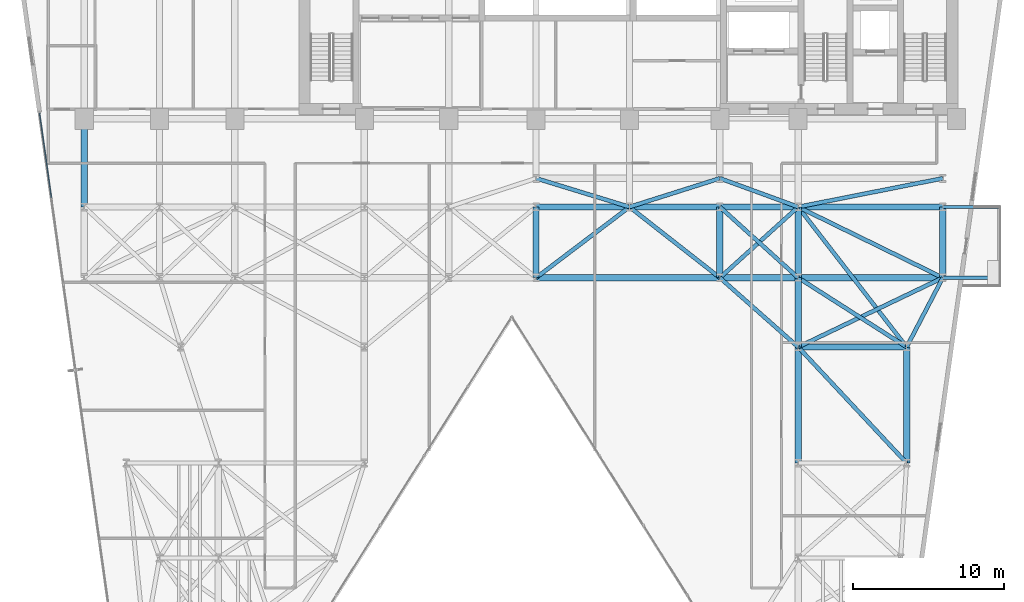
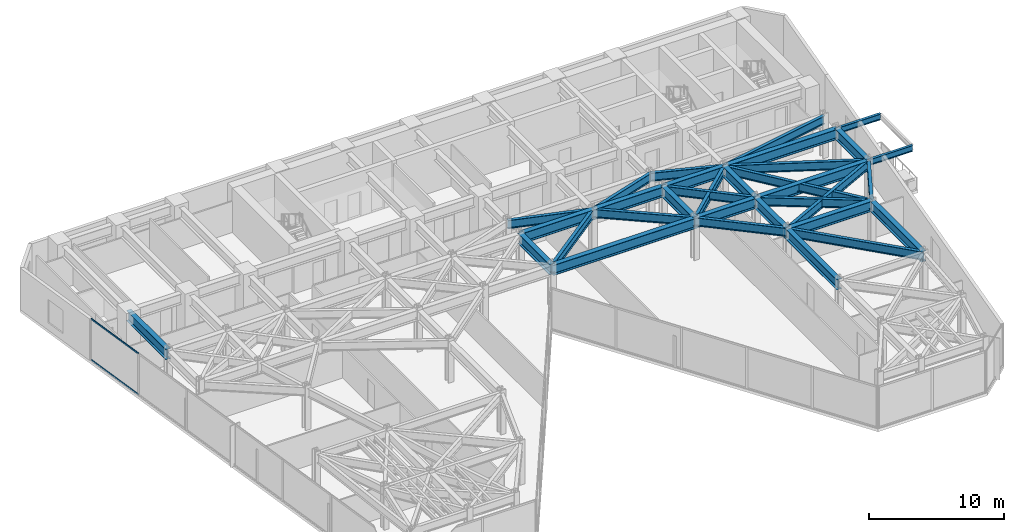
# One storey, part 16 of 25: 33 beams, 2 members, 1 element without a shape of its own.
"""IFC4 building model written with IfcOpenShell, lengths in metres."""

import ifcopenshell
import ifcopenshell.guid

model = None  # the IFC model being written
_history = None  # IfcOwnerHistory: only IFC2X3 demands one
_inside = {}  # id of a spatial element -> (the spatial element, [elements in it])
_under = {}  # id of a project, library or spatial element -> (it, [spatial elements below it])
_declared = {}  # id of a project -> (the project, [libraries it declares])
_typed = {}  # id of a type object -> (the type object, [elements of that type])
_made_of = {}  # id of a material, layer set ... -> (it, [elements and type objects made of it])


def new_model(schema):
    """Start an empty IFC model of exactly this schema.

    Asked for "IFC4X3", IfcOpenShell would pick the latest addendum, in which some entities
    have other attributes; the version numbers below select the first issue.
    IFC2X3 requires an IfcOwnerHistory on every rooted entity: one is made here for all.
    """
    global model, _history
    if schema == "IFC4X3":
        model = ifcopenshell.file(schema_version=(4, 3, 0, 0))
    else:
        model = ifcopenshell.file(schema=schema)
    _inside.clear()
    _under.clear()
    _declared.clear()
    _typed.clear()
    _made_of.clear()
    _history = None
    if model.schema == "IFC2X3":
        org = make("IfcOrganization", Name="unknown")
        user = make(
            "IfcPersonAndOrganization",
            ThePerson=make("IfcPerson", FamilyName="unknown"),
            TheOrganization=org,
        )
        app = make(
            "IfcApplication",
            ApplicationDeveloper=org,
            Version="unknown",
            ApplicationFullName="unknown",
            ApplicationIdentifier="unknown",
        )
        _history = make(
            "IfcOwnerHistory",
            OwningUser=user,
            OwningApplication=app,
            ChangeAction="ADDED",
            CreationDate=0,
        )
    return model


def make(cls, **values):
    """One entity of the class cls with the attributes given. An attribute that is None is left unset."""
    return model.create_entity(
        cls, **{name: value for name, value in values.items() if value is not None}
    )


def rooted(cls, **values):
    """An entity with a GlobalId (a new one), such as an element, a storey or a relation."""
    return make(cls, GlobalId=ifcopenshell.guid.new(), OwnerHistory=_history, **values)


def si_unit(unit_type, name, prefix=None):
    """IfcSIUnit, for example si_unit("LENGTHUNIT", "METRE", prefix="MILLI")."""
    return make("IfcSIUnit", UnitType=unit_type, Prefix=prefix, Name=name)


def assignment(units):
    """IfcUnitAssignment: the units of a project."""
    return None if units is None else make("IfcUnitAssignment", Units=units)


def point(xyz):
    """IfcCartesianPoint."""
    return None if xyz is None else make("IfcCartesianPoint", Coordinates=xyz)


def direction(xyz):
    """IfcDirection."""
    return None if xyz is None else make("IfcDirection", DirectionRatios=xyz)


def frame(location, z_axis=None, x_axis=None):
    """IfcAxis2Placement3D, a coordinate frame: its origin and axes. An axis left out is left unset."""
    return make(
        "IfcAxis2Placement3D",
        Location=point(location),
        Axis=direction(z_axis),
        RefDirection=direction(x_axis),
    )


def frame_2d(location, x_axis=None):
    """IfcAxis2Placement2D, a coordinate frame in the plane: its origin and x axis."""
    return make(
        "IfcAxis2Placement2D", Location=point(location), RefDirection=direction(x_axis)
    )


def origin():
    """The frame at (0, 0, 0) with its axes left unset."""
    return frame((0.0, 0.0, 0.0))


def origin_2d():
    """The frame at (0, 0) in the plane with its x axis left unset."""
    return frame_2d((0.0, 0.0))


def place(relative_to, where):
    """IfcLocalPlacement: puts the frame where relative to a parent placement (None: the world)."""
    return make(
        "IfcLocalPlacement", PlacementRelTo=relative_to, RelativePlacement=where
    )


def context(
    kind, dimensions, precision=None, world=None, true_north=None, identifier=None
):
    """IfcGeometricRepresentationContext, for example the 3D "Model" context."""
    return make(
        "IfcGeometricRepresentationContext",
        ContextIdentifier=identifier,
        ContextType=kind,
        CoordinateSpaceDimension=dimensions,
        Precision=precision,
        WorldCoordinateSystem=world,
        TrueNorth=true_north,
    )


def subcontext(parent, identifier, kind, view, scale=None):
    """IfcGeometricRepresentationSubContext, for example "Body" below "Model"."""
    return make(
        "IfcGeometricRepresentationSubContext",
        ContextIdentifier=identifier,
        ContextType=kind,
        ParentContext=parent,
        TargetScale=scale,
        TargetView=view,
    )


def project(units=None, contexts=None):
    """IfcProject with its units and contexts."""
    return rooted(
        "IfcProject",
        Name="project",
        RepresentationContexts=contexts,
        UnitsInContext=assignment(units),
    )


def spatial(cls, under=None, at=None, **own):
    """A site, building, storey or space (cls), placed at a placement, below another one or the project."""
    s = rooted(cls, ObjectPlacement=at, **own)
    if under is not None:
        _under.setdefault(under.id(), (under, []))[1].append(s)
    return s


def profile(cls, at=None, kind="AREA", **sizes):
    """A parametric profile (cls). Its sizes go by their IFC names, for example OverallWidth=200.0."""
    return make(cls, ProfileType=kind, Position=at, **sizes)


def hollow_rectangle(**sizes):
    """IfcRectangleHollowProfileDef."""
    return profile("IfcRectangleHollowProfileDef", **sizes)


def i_section(**sizes):
    """IfcIShapeProfileDef."""
    return profile("IfcIShapeProfileDef", **sizes)


def extrude(swept, where, along, depth):
    """IfcExtrudedAreaSolid: the profile swept, set in the frame where, extruded along a direction by depth."""
    return make(
        "IfcExtrudedAreaSolid",
        SweptArea=swept,
        Position=where,
        ExtrudedDirection=direction(along),
        Depth=depth,
    )


def shape(context_of_items, identifier, shape_type, items):
    """IfcShapeRepresentation: the items that make up one representation, for example the "Body"."""
    return make(
        "IfcShapeRepresentation",
        ContextOfItems=context_of_items,
        RepresentationIdentifier=identifier,
        RepresentationType=shape_type,
        Items=items,
    )


def material(Name=None, Category=None):
    """IfcMaterial."""
    return make("IfcMaterial", Name=Name, Category=Category)


def layer(
    of_material, thickness, ventilated=None, Name=None, Category=None, Priority=None
):
    """IfcMaterialLayer: one layer of a wall or slab, of a material (None: an air gap)."""
    return make(
        "IfcMaterialLayer",
        Material=of_material,
        LayerThickness=thickness,
        IsVentilated=ventilated,
        Name=Name,
        Category=Category,
        Priority=Priority,
    )


def layer_set(layers, Name=None):
    """IfcMaterialLayerSet."""
    return make("IfcMaterialLayerSet", MaterialLayers=layers, LayerSetName=Name)


def material_profile(
    of_material, cross_section, Name=None, Category=None, Priority=None
):
    """IfcMaterialProfile: a cross section and its material."""
    return make(
        "IfcMaterialProfile",
        Name=Name,
        Material=of_material,
        Profile=cross_section,
        Priority=Priority,
        Category=Category,
    )


def profile_set(profiles, Name=None, composite=None):
    """IfcMaterialProfileSet."""
    return make(
        "IfcMaterialProfileSet",
        Name=Name,
        MaterialProfiles=profiles,
        CompositeProfile=composite,
    )


def made_of(thing, what):
    """Note that an element or type object is made of a material, layer set ...; save() writes the relation."""
    if what is not None:
        _made_of.setdefault(what.id(), (what, []))[1].append(thing)
    return thing


def type_object(cls, material=None, **own):
    """A type object (cls), such as IfcWallType, which elements share."""
    return made_of(rooted(cls, **own), material)


def element(
    cls,
    number,
    at=None,
    inside=None,
    cuts=None,
    type_object=None,
    material=None,
    context=None,
    identifier="Body",
    shape_type=None,
    held_by="IfcProductDefinitionShape",
    body=None,
    shapes=None,
    **own,
):
    """One element of the class cls, such as IfcWall. Its Tag is "e" and its number.

    at: its placement. inside: the storey or other place that contains it. cuts: it is an
    opening in that element (IfcRelVoidsElement). A single representation is given by context,
    identifier, shape_type and body (its items); several are given by shapes. held_by: the class
    of the entity that holds the representations. save() writes the other relations.
    """
    e = rooted(cls, Tag="e%d" % number, ObjectPlacement=at, **own)
    if body is not None:
        shapes = [shape(context, identifier, shape_type, body)]
    if shapes is not None:
        e.Representation = make(held_by, Representations=shapes)
    if inside is not None:
        _inside.setdefault(inside.id(), (inside, []))[1].append(e)
    if cuts is not None:
        rooted(
            "IfcRelVoidsElement", RelatingBuildingElement=cuts, RelatedOpeningElement=e
        )
    if type_object is not None:
        _typed.setdefault(type_object.id(), (type_object, []))[1].append(e)
    return made_of(e, material)


def aggregate(whole, parts):
    """IfcRelAggregates: a whole, such as a stair, and the parts it consists of."""
    return rooted("IfcRelAggregates", RelatingObject=whole, RelatedObjects=parts)


def save(model, path):
    """Write the relations noted so far, then the file.

    IfcRelAggregates (storeys below a building ...), IfcRelContainedInSpatialStructure (elements
    in a storey), IfcRelDefinesByType, IfcRelAssociatesMaterial and IfcRelDeclares: one each for
    every whole, place, type object, material and project.
    """
    for whole, parts in _under.values():
        aggregate(whole, parts)
    for where, things in _inside.values():
        rooted(
            "IfcRelContainedInSpatialStructure",
            RelatedElements=things,
            RelatingStructure=where,
        )
    for kind, things in _typed.values():
        rooted("IfcRelDefinesByType", RelatedObjects=things, RelatingType=kind)
    for what, things in _made_of.values():
        rooted("IfcRelAssociatesMaterial", RelatedObjects=things, RelatingMaterial=what)
    for by, libraries in _declared.values():
        rooted("IfcRelDeclares", RelatingContext=by, RelatedDefinitions=libraries)
    model.write(path)


model = new_model("IFC4")

# Units and contexts
model_context = context("Model", 3, precision=1e-05, world=origin(), true_north=direction((0.0, 1.0)))
body_context = subcontext(model_context, "Body", "Model", "MODEL_VIEW")
ifc_project = project(units=[si_unit("LENGTHUNIT", "METRE"), si_unit("AREAUNIT", "SQUARE_METRE"), si_unit("VOLUMEUNIT", "CUBIC_METRE"), si_unit("PLANEANGLEUNIT", "RADIAN"), si_unit("MASSUNIT", "GRAM", prefix="KILO")], contexts=[model_context])

# Site, building, storey
site_placement = place(None, origin())
site = spatial("IfcSite", under=ifc_project, at=site_placement, CompositionType="ELEMENT")
building_placement = place(site_placement, origin())
building = spatial("IfcBuilding", under=site, at=building_placement, Name="Kravanh Interchange Tower", CompositionType="ELEMENT")
storey_placement = place(building_placement, frame((0.0, 0.0, 33.5)))
storey = spatial("IfcBuildingStorey", under=building, at=storey_placement, Name="L07", CompositionType="ELEMENT", Elevation=33.5)

# Curtain wall, members
ifc_material_1 = material(Name="Anodised Bronze Aluminium", Category="aluminium")
ifc_layer = layer(ifc_material_1, 0.179931640625)
ifc_layer_set = layer_set([ifc_layer], Name="Unitised Curtain Wall System CW-Z1 Lower Office")
curtain_wall_type = type_object("IfcCurtainWallType", Name="Unitised Curtain Wall System CW-Z1 Lower Office", PredefinedType="NOTDEFINED", material=ifc_layer_set)
curtain_wall_placement = place(storey_placement, origin())
curtain_wall = element("IfcCurtainWall", 1, at=curtain_wall_placement, inside=storey, type_object=curtain_wall_type, Name="L07 Unitised Curtain Wall CW-L07-01", PredefinedType="NOTDEFINED")
ifc_material_2 = material(Name="Anodised Bronze Aluminium", Category="aluminium")
ifc_material_profile_1 = material_profile(ifc_material_2, hollow_rectangle(XDim=0.06005859375, YDim=0.139892578125, WallThickness=0.00390625, at=origin_2d()), Name="ALU60X140X4")
ifc_profile_set_1 = profile_set([ifc_material_profile_1], Name="Anodised Bronze Aluminium")
member_type = type_object("IfcMemberType", Name="Curtain Wall Transom ALU60X140X4 Bronze", PredefinedType="USERDEFINED", material=ifc_profile_set_1)
member_1_placement = place(storey_placement, frame((6.422607421875, 32.1240234375, 0.030029296875), z_axis=(-0.139193386559, 0.990265217575, 0.0), x_axis=(-0.990265217575, -0.139193386559, 0.0)))
member_1 = element("IfcMember", 2, at=member_1_placement, type_object=member_type, Name="CW-Z1 transom 6.1", ObjectType="TRANSOM", PredefinedType="USERDEFINED", context=body_context, shape_type="SweptSolid", body=[
    extrude(hollow_rectangle(XDim=0.06005859375, YDim=0.139892578125, WallThickness=0.00390625, at=origin_2d()), origin(), (0.0, 0.0, 1.0), 5.661865234375),
])
member_2_placement = place(storey_placement, frame((6.422607421875, 32.1240234375, 3.7099609375), z_axis=(-0.139193386559, 0.990265217575, 0.0), x_axis=(-0.990265217575, -0.139193386559, 0.0)))
member_2 = element("IfcMember", 3, at=member_2_placement, type_object=member_type, Name="CW-Z1 transom 6.2", ObjectType="TRANSOM", PredefinedType="USERDEFINED", context=body_context, shape_type="SweptSolid", body=[
    extrude(hollow_rectangle(XDim=0.06005859375, YDim=0.139892578125, WallThickness=0.00390625, at=origin_2d()), origin(), (0.0, 0.0, 1.0), 5.661865234375),
])
aggregate(curtain_wall, [member_1, member_2])

# Beams
ifc_material_3 = material(Name="Structural Steel S355", Category="steel")
ifc_material_profile_2 = material_profile(ifc_material_3, i_section(OverallWidth=0.41796875, OverallDepth=0.927001953125, WebThickness=0.019287109375, FlangeThickness=0.031982421875, FilletRadius=0.028076171875, at=origin_2d()), Name="W36X231")
ifc_profile_set_2 = profile_set([ifc_material_profile_2], Name="Structural Steel S355")
beam_type_1 = type_object("IfcBeamType", Name="Floor Beam W36X231 Structural Steel S355", PredefinedType="BEAM", material=ifc_profile_set_2)
beam_1_placement = place(storey_placement, frame((8.60009765625, 37.35009765625, 3.276611328125), z_axis=(0.0, -1.0, 0.0), x_axis=(1.0, 0.0, 0.0)))
element("IfcBeam", 4, at=beam_1_placement, inside=storey, type_object=beam_type_1, Name="L07 Primary Floor Girder 36", PredefinedType="BEAM", context=body_context, shape_type="SweptSolid", body=[
    extrude(i_section(OverallWidth=0.41796875, OverallDepth=0.927001953125, WebThickness=0.019287109375, FlangeThickness=0.031982421875, FilletRadius=0.028076171875, at=origin_2d()), origin(), (0.0, 0.0, 1.0), 5.85009765625),
])
for number, where, z_axis, x_axis, name in (
    (5, (56.0, 14.5, 3.276611328125), (0.0, 1.0, 0.0), (-1.0, 0.0, 0.0), "L07 Primary Floor Girder 44"),
    (6, (63.199951171875, 14.5, 3.276611328125), (0.0, 1.0, 0.0), (-1.0, 0.0, 0.0), "L07 Primary Floor Girder 47"),
):
    element("IfcBeam", number, at=place(storey_placement, frame(where, z_axis=z_axis, x_axis=x_axis)), inside=storey, type_object=beam_type_1, Name=name, PredefinedType="BEAM", context=body_context, shape_type="SweptSolid", body=[
        extrude(i_section(OverallWidth=0.41796875, OverallDepth=0.927001953125, WebThickness=0.019287109375, FlangeThickness=0.031982421875, FilletRadius=0.028076171875, at=origin_2d()), origin(), (0.0, 0.0, 1.0), 7.699951171875),
    ])
beam_2_placement = place(storey_placement, frame((56.0, 22.199951171875, 3.276611328125), z_axis=(0.0, 1.0, 0.0), x_axis=(-1.0, 0.0, 0.0)))
element("IfcBeam", 7, at=beam_2_placement, inside=storey, type_object=beam_type_1, Name="L07 Primary Floor Girder 58", PredefinedType="BEAM", context=body_context, shape_type="SweptSolid", body=[
    extrude(i_section(OverallWidth=0.41796875, OverallDepth=0.927001953125, WebThickness=0.019287109375, FlangeThickness=0.031982421875, FilletRadius=0.028076171875, at=origin_2d()), origin(), (0.0, 0.0, 1.0), 4.60009765625),
])
beam_3_placement = place(storey_placement, frame((56.0, 22.199951171875, 3.276611328125), z_axis=(1.0, 0.0, 0.0), x_axis=(0.0, 1.0, 0.0)))
element("IfcBeam", 8, at=beam_3_placement, inside=storey, type_object=beam_type_1, Name="L07 Primary Floor Girder 60", PredefinedType="BEAM", context=body_context, shape_type="SweptSolid", body=[
    extrude(i_section(OverallWidth=0.41796875, OverallDepth=0.927001953125, WebThickness=0.019287109375, FlangeThickness=0.031982421875, FilletRadius=0.028076171875, at=origin_2d()), origin(), (0.0, 0.0, 1.0), 7.199951171875),
])
beam_4_placement = place(storey_placement, frame((38.60009765625, 26.800048828125, 3.276611328125), z_axis=(0.0, 1.0, 0.0), x_axis=(-1.0, 0.0, 0.0)))
element("IfcBeam", 9, at=beam_4_placement, inside=storey, type_object=beam_type_1, Name="L07 Primary Floor Girder 86", PredefinedType="BEAM", context=body_context, shape_type="SweptSolid", body=[
    extrude(i_section(OverallWidth=0.41796875, OverallDepth=0.927001953125, WebThickness=0.019287109375, FlangeThickness=0.031982421875, FilletRadius=0.028076171875, at=origin_2d()), origin(), (0.0, 0.0, 1.0), 4.699951171875),
])
beam_5_placement = place(storey_placement, frame((38.60009765625, 26.800048828125, 3.276611328125), z_axis=(1.0, 0.0, 0.0), x_axis=(0.0, 1.0, 0.0)))
element("IfcBeam", 10, at=beam_5_placement, inside=storey, type_object=beam_type_1, Name="L07 Primary Floor Girder 89", PredefinedType="BEAM", context=body_context, shape_type="SweptSolid", body=[
    extrude(i_section(OverallWidth=0.41796875, OverallDepth=0.927001953125, WebThickness=0.019287109375, FlangeThickness=0.031982421875, FilletRadius=0.028076171875, at=origin_2d()), origin(), (0.0, 0.0, 1.0), 12.199951171875),
])
beam_6_placement = place(storey_placement, frame((50.800048828125, 26.800048828125, 3.276611328125), z_axis=(0.0, 1.0, 0.0), x_axis=(-1.0, 0.0, 0.0)))
element("IfcBeam", 11, at=beam_6_placement, inside=storey, type_object=beam_type_1, Name="L07 Primary Floor Girder 90", PredefinedType="BEAM", context=body_context, shape_type="SweptSolid", body=[
    extrude(i_section(OverallWidth=0.41796875, OverallDepth=0.927001953125, WebThickness=0.019287109375, FlangeThickness=0.031982421875, FilletRadius=0.028076171875, at=origin_2d()), origin(), (0.0, 0.0, 1.0), 4.699951171875),
])
beam_7_placement = place(storey_placement, frame((50.800048828125, 26.800048828125, 3.276611328125), z_axis=(1.0, 0.0, 0.0), x_axis=(0.0, 1.0, 0.0)))
element("IfcBeam", 12, at=beam_7_placement, inside=storey, type_object=beam_type_1, Name="L07 Primary Floor Girder 91", PredefinedType="BEAM", context=body_context, shape_type="SweptSolid", body=[
    extrude(i_section(OverallWidth=0.41796875, OverallDepth=0.927001953125, WebThickness=0.019287109375, FlangeThickness=0.031982421875, FilletRadius=0.028076171875, at=origin_2d()), origin(), (0.0, 0.0, 1.0), 5.199951171875),
])
beam_8_placement = place(storey_placement, frame((56.0, 26.800048828125, 3.276611328125), z_axis=(0.0, 1.0, 0.0), x_axis=(-1.0, 0.0, 0.0)))
element("IfcBeam", 13, at=beam_8_placement, inside=storey, type_object=beam_type_1, Name="L07 Primary Floor Girder 94", PredefinedType="BEAM", context=body_context, shape_type="SweptSolid", body=[
    extrude(i_section(OverallWidth=0.41796875, OverallDepth=0.927001953125, WebThickness=0.019287109375, FlangeThickness=0.031982421875, FilletRadius=0.028076171875, at=origin_2d()), origin(), (0.0, 0.0, 1.0), 4.699951171875),
])
beam_9_placement = place(storey_placement, frame((56.0, 26.800048828125, 3.276611328125), z_axis=(1.0, 0.0, 0.0), x_axis=(0.0, 1.0, 0.0)))
element("IfcBeam", 14, at=beam_9_placement, inside=storey, type_object=beam_type_1, Name="L07 Primary Floor Girder 97", PredefinedType="BEAM", context=body_context, shape_type="SweptSolid", body=[
    extrude(i_section(OverallWidth=0.41796875, OverallDepth=0.927001953125, WebThickness=0.019287109375, FlangeThickness=0.031982421875, FilletRadius=0.028076171875, at=origin_2d()), origin(), (0.0, 0.0, 1.0), 9.60009765625),
])
beam_10_placement = place(storey_placement, frame((65.60009765625, 26.800048828125, 3.276611328125), z_axis=(0.0, 1.0, 0.0), x_axis=(-1.0, 0.0, 0.0)))
element("IfcBeam", 15, at=beam_10_placement, inside=storey, type_object=beam_type_1, Name="L07 Primary Floor Girder 98", PredefinedType="BEAM", context=body_context, shape_type="SweptSolid", body=[
    extrude(i_section(OverallWidth=0.41796875, OverallDepth=0.927001953125, WebThickness=0.019287109375, FlangeThickness=0.031982421875, FilletRadius=0.028076171875, at=origin_2d()), origin(), (0.0, 0.0, 1.0), 4.699951171875),
])
beam_11_placement = place(storey_placement, frame((38.60009765625, 31.5, 3.276611328125), z_axis=(1.0, 0.0, 0.0), x_axis=(0.0, 1.0, 0.0)))
element("IfcBeam", 16, at=beam_11_placement, inside=storey, type_object=beam_type_1, Name="L07 Primary Floor Girder 111", PredefinedType="BEAM", context=body_context, shape_type="SweptSolid", body=[
    extrude(i_section(OverallWidth=0.41796875, OverallDepth=0.927001953125, WebThickness=0.019287109375, FlangeThickness=0.031982421875, FilletRadius=0.028076171875, at=origin_2d()), origin(), (0.0, 0.0, 1.0), 6.199951171875),
])
beam_12_placement = place(storey_placement, frame((44.800048828125, 31.5, 3.276611328125), z_axis=(1.0, 0.0, 0.0), x_axis=(0.0, 1.0, 0.0)))
element("IfcBeam", 17, at=beam_12_placement, inside=storey, type_object=beam_type_1, Name="L07 Primary Floor Girder 113", PredefinedType="BEAM", context=body_context, shape_type="SweptSolid", body=[
    extrude(i_section(OverallWidth=0.41796875, OverallDepth=0.927001953125, WebThickness=0.019287109375, FlangeThickness=0.031982421875, FilletRadius=0.028076171875, at=origin_2d()), origin(), (0.0, 0.0, 1.0), 6.0),
])
beam_13_placement = place(storey_placement, frame((50.800048828125, 31.5, 3.276611328125), z_axis=(1.0, 0.0, 0.0), x_axis=(0.0, 1.0, 0.0)))
element("IfcBeam", 18, at=beam_13_placement, inside=storey, type_object=beam_type_1, Name="L07 Primary Floor Girder 116", PredefinedType="BEAM", context=body_context, shape_type="SweptSolid", body=[
    extrude(i_section(OverallWidth=0.41796875, OverallDepth=0.927001953125, WebThickness=0.019287109375, FlangeThickness=0.031982421875, FilletRadius=0.028076171875, at=origin_2d()), origin(), (0.0, 0.0, 1.0), 5.199951171875),
])
beam_14_placement = place(storey_placement, frame((56.0, 31.5, 3.276611328125), z_axis=(1.0, 0.0, 0.0), x_axis=(0.0, 1.0, 0.0)))
element("IfcBeam", 19, at=beam_14_placement, inside=storey, type_object=beam_type_1, Name="L07 Primary Floor Girder 119", PredefinedType="BEAM", context=body_context, shape_type="SweptSolid", body=[
    extrude(i_section(OverallWidth=0.41796875, OverallDepth=0.927001953125, WebThickness=0.019287109375, FlangeThickness=0.031982421875, FilletRadius=0.028076171875, at=origin_2d()), origin(), (0.0, 0.0, 1.0), 9.60009765625),
])
ifc_material_4 = material(Name="Structural Steel S355", Category="steel")
ifc_material_profile_3 = material_profile(ifc_material_4, i_section(OverallWidth=0.2099609375, OverallDepth=0.537109375, WebThickness=0.010986328125, FlangeThickness=0.017333984375, FilletRadius=0.02001953125, at=origin_2d()), Name="W21X68")
ifc_profile_set_3 = profile_set([ifc_material_profile_3], Name="Structural Steel S355")
beam_type_2 = type_object("IfcBeamType", Name="Floor Spandrel W21X68 Structural Steel S355", PredefinedType="SPANDREL", material=ifc_profile_set_3)
for number, where, z_axis, x_axis, name in (
    (20, (65.60009765625, 26.800048828125, 3.471435546875), (1.0, 0.0, 0.0), (0.0, 1.0, 0.0), "L07 Balcony Cantilever Outrigger E1"),
    (21, (65.60009765625, 31.5, 3.471435546875), (1.0, 0.0, 0.0), (0.0, 1.0, 0.0), "L07 Balcony Cantilever Outrigger E2"),
):
    element("IfcBeam", number, at=place(storey_placement, frame(where, z_axis=z_axis, x_axis=x_axis)), inside=storey, type_object=beam_type_2, Name=name, PredefinedType="SPANDREL", context=body_context, shape_type="SweptSolid", body=[
        extrude(i_section(OverallWidth=0.2099609375, OverallDepth=0.537109375, WebThickness=0.010986328125, FlangeThickness=0.017333984375, FilletRadius=0.02001953125, at=origin_2d()), origin(), (0.0, 0.0, 1.0), 3.718994140625),
    ])
ifc_material_5 = material(Name="Structural Steel S355", Category="steel")
ifc_material_profile_4 = material_profile(ifc_material_5, i_section(OverallWidth=0.26708984375, OverallDepth=0.761962890625, WebThickness=0.014404296875, FlangeThickness=0.021484375, FilletRadius=0.02490234375, at=origin_2d()), Name="W30X116")
ifc_profile_set_4 = profile_set([ifc_material_profile_4], Name="Structural Steel S355")
beam_type_3 = type_object("IfcBeamType", Name="Floor Spandrel W30X116 Structural Steel S355", PredefinedType="SPANDREL", material=ifc_profile_set_4)
beam_15_placement = place(storey_placement, frame((63.199951171875, 14.5, 3.35888671875), z_axis=(-0.682993762113, 0.73042420614, 0.0), x_axis=(-0.73042420614, -0.682993762113, 0.0)))
element("IfcBeam", 22, at=beam_15_placement, inside=storey, type_object=beam_type_3, Name="L07 Perimeter Spandrel 49", PredefinedType="SPANDREL", context=body_context, shape_type="SweptSolid", body=[
    extrude(i_section(OverallWidth=0.26708984375, OverallDepth=0.761962890625, WebThickness=0.014404296875, FlangeThickness=0.021484375, FilletRadius=0.02490234375, at=origin_2d()), origin(), (0.0, 0.0, 1.0), 10.541748046875),
])
beam_16_placement = place(storey_placement, frame((56.0, 22.199951171875, 3.35888671875), z_axis=(-0.74898649432, 0.662585263439, 0.0), x_axis=(-0.662585263439, -0.74898649432, 0.0)))
element("IfcBeam", 23, at=beam_16_placement, inside=storey, type_object=beam_type_3, Name="L07 Perimeter Spandrel 59", PredefinedType="SPANDREL", context=body_context, shape_type="SweptSolid", body=[
    extrude(i_section(OverallWidth=0.26708984375, OverallDepth=0.761962890625, WebThickness=0.014404296875, FlangeThickness=0.021484375, FilletRadius=0.02490234375, at=origin_2d()), origin(), (0.0, 0.0, 1.0), 6.942626953125),
])
beam_17_placement = place(storey_placement, frame((56.0, 22.199951171875, 3.35888671875), z_axis=(0.901814166789, 0.432124066188, 0.0), x_axis=(-0.432124066188, 0.901814166789, 0.0)))
element("IfcBeam", 24, at=beam_17_placement, inside=storey, type_object=beam_type_3, Name="L07 Perimeter Spandrel 61", PredefinedType="SPANDREL", context=body_context, shape_type="SweptSolid", body=[
    extrude(i_section(OverallWidth=0.26708984375, OverallDepth=0.761962890625, WebThickness=0.014404296875, FlangeThickness=0.021484375, FilletRadius=0.02490234375, at=origin_2d()), origin(), (0.0, 0.0, 1.0), 10.645263671875),
])
beam_18_placement = place(storey_placement, frame((63.199951171875, 22.199951171875, 3.35888671875), z_axis=(0.462580479178, 0.886577295155, 0.0), x_axis=(-0.886577295155, 0.462580479178, 0.0)))
element("IfcBeam", 25, at=beam_18_placement, inside=storey, type_object=beam_type_3, Name="L07 Perimeter Spandrel 62", PredefinedType="SPANDREL", context=body_context, shape_type="SweptSolid", body=[
    extrude(i_section(OverallWidth=0.26708984375, OverallDepth=0.761962890625, WebThickness=0.014404296875, FlangeThickness=0.021484375, FilletRadius=0.02490234375, at=origin_2d()), origin(), (0.0, 0.0, 1.0), 5.188720703125),
])
beam_19_placement = place(storey_placement, frame((63.199951171875, 22.199951171875, 3.35888671875), z_axis=(-0.842689417531, 0.53839998661, 0.0), x_axis=(-0.53839998661, -0.842689417531, 0.0)))
element("IfcBeam", 26, at=beam_19_placement, inside=storey, type_object=beam_type_3, Name="L07 Perimeter Spandrel 63", PredefinedType="SPANDREL", context=body_context, shape_type="SweptSolid", body=[
    extrude(i_section(OverallWidth=0.26708984375, OverallDepth=0.761962890625, WebThickness=0.014404296875, FlangeThickness=0.021484375, FilletRadius=0.02490234375, at=origin_2d()), origin(), (0.0, 0.0, 1.0), 8.5439453125),
])
beam_20_placement = place(storey_placement, frame((63.199951171875, 22.199951171875, 3.35888671875), z_axis=(-0.612168587637, 0.790727273028, 0.0), x_axis=(-0.790727273028, -0.612168587637, 0.0)))
element("IfcBeam", 27, at=beam_20_placement, inside=storey, type_object=beam_type_3, Name="L07 Perimeter Spandrel 65", PredefinedType="SPANDREL", context=body_context, shape_type="SweptSolid", body=[
    extrude(i_section(OverallWidth=0.26708984375, OverallDepth=0.761962890625, WebThickness=0.014404296875, FlangeThickness=0.021484375, FilletRadius=0.02490234375, at=origin_2d()), origin(), (0.0, 0.0, 1.0), 11.761474609375),
])
beam_21_placement = place(storey_placement, frame((38.60009765625, 26.800048828125, 3.35888671875), z_axis=(0.796905365509, 0.604104161898, 0.0), x_axis=(-0.604104161898, 0.796905365509, 0.0)))
element("IfcBeam", 28, at=beam_21_placement, inside=storey, type_object=beam_type_3, Name="L07 Perimeter Spandrel 88", PredefinedType="SPANDREL", context=body_context, shape_type="SweptSolid", body=[
    extrude(i_section(OverallWidth=0.26708984375, OverallDepth=0.761962890625, WebThickness=0.014404296875, FlangeThickness=0.021484375, FilletRadius=0.02490234375, at=origin_2d()), origin(), (0.0, 0.0, 1.0), 7.780029296875),
])
beam_22_placement = place(storey_placement, frame((50.800048828125, 26.800048828125, 3.35888671875), z_axis=(0.741874009795, 0.670539300557, 0.0), x_axis=(-0.670539300557, 0.741874009795, 0.0)))
element("IfcBeam", 29, at=beam_22_placement, inside=storey, type_object=beam_type_3, Name="L07 Perimeter Spandrel 92", PredefinedType="SPANDREL", context=body_context, shape_type="SweptSolid", body=[
    extrude(i_section(OverallWidth=0.26708984375, OverallDepth=0.761962890625, WebThickness=0.014404296875, FlangeThickness=0.021484375, FilletRadius=0.02490234375, at=origin_2d()), origin(), (0.0, 0.0, 1.0), 7.00927734375),
])
beam_23_placement = place(storey_placement, frame((50.800048828125, 26.800048828125, 3.35888671875), z_axis=(-0.787231163579, 0.616658004967, 0.0), x_axis=(-0.616658004967, -0.787231163579, 0.0)))
element("IfcBeam", 30, at=beam_23_placement, inside=storey, type_object=beam_type_3, Name="L07 Perimeter Spandrel 93", PredefinedType="SPANDREL", context=body_context, shape_type="SweptSolid", body=[
    extrude(i_section(OverallWidth=0.26708984375, OverallDepth=0.761962890625, WebThickness=0.014404296875, FlangeThickness=0.021484375, FilletRadius=0.02490234375, at=origin_2d()), origin(), (0.0, 0.0, 1.0), 7.62158203125),
])
beam_24_placement = place(storey_placement, frame((56.0, 26.800048828125, 3.35888671875), z_axis=(-0.741874009795, 0.670539300557, 0.0), x_axis=(-0.670539300557, -0.741874009795, 0.0)))
element("IfcBeam", 31, at=beam_24_placement, inside=storey, type_object=beam_type_3, Name="L07 Perimeter Spandrel 95", PredefinedType="SPANDREL", context=body_context, shape_type="SweptSolid", body=[
    extrude(i_section(OverallWidth=0.26708984375, OverallDepth=0.761962890625, WebThickness=0.014404296875, FlangeThickness=0.021484375, FilletRadius=0.02490234375, at=origin_2d()), origin(), (0.0, 0.0, 1.0), 7.00927734375),
])
beam_25_placement = place(storey_placement, frame((65.60009765625, 26.800048828125, 3.35888671875), z_axis=(-0.898141688387, 0.439706160499, 0.0), x_axis=(-0.439706160499, -0.898141688387, 0.0)))
element("IfcBeam", 32, at=beam_25_placement, inside=storey, type_object=beam_type_3, Name="L07 Perimeter Spandrel 99", PredefinedType="SPANDREL", context=body_context, shape_type="SweptSolid", body=[
    extrude(i_section(OverallWidth=0.26708984375, OverallDepth=0.761962890625, WebThickness=0.014404296875, FlangeThickness=0.021484375, FilletRadius=0.02490234375, at=origin_2d()), origin(), (0.0, 0.0, 1.0), 10.68896484375),
])
beam_26_placement = place(storey_placement, frame((44.800048828125, 31.5, 3.35888671875), z_axis=(0.953346691051, 0.301877602122, 0.0), x_axis=(-0.301877602122, 0.953346691051, 0.0)))
element("IfcBeam", 33, at=beam_26_placement, inside=storey, type_object=beam_type_3, Name="L07 Perimeter Spandrel 114", PredefinedType="SPANDREL", context=body_context, shape_type="SweptSolid", body=[
    extrude(i_section(OverallWidth=0.26708984375, OverallDepth=0.761962890625, WebThickness=0.014404296875, FlangeThickness=0.021484375, FilletRadius=0.02490234375, at=origin_2d()), origin(), (0.0, 0.0, 1.0), 6.293701171875),
])
beam_27_placement = place(storey_placement, frame((44.800048828125, 31.5, 3.35888671875), z_axis=(-0.956115397264, 0.292990353279, 0.0), x_axis=(-0.292990353279, -0.956115397264, 0.0)))
element("IfcBeam", 34, at=beam_27_placement, inside=storey, type_object=beam_type_3, Name="L07 Perimeter Spandrel 115", PredefinedType="SPANDREL", context=body_context, shape_type="SweptSolid", body=[
    extrude(i_section(OverallWidth=0.26708984375, OverallDepth=0.761962890625, WebThickness=0.014404296875, FlangeThickness=0.021484375, FilletRadius=0.02490234375, at=origin_2d()), origin(), (0.0, 0.0, 1.0), 6.484619140625),
])
beam_28_placement = place(storey_placement, frame((56.0, 31.5, 3.35888671875), z_axis=(-0.93926957103, 0.343180233896, 0.0), x_axis=(-0.343180233896, -0.93926957103, 0.0)))
element("IfcBeam", 35, at=beam_28_placement, inside=storey, type_object=beam_type_3, Name="L07 Perimeter Spandrel 118", PredefinedType="SPANDREL", context=body_context, shape_type="SweptSolid", body=[
    extrude(i_section(OverallWidth=0.26708984375, OverallDepth=0.761962890625, WebThickness=0.014404296875, FlangeThickness=0.021484375, FilletRadius=0.02490234375, at=origin_2d()), origin(), (0.0, 0.0, 1.0), 5.5361328125),
])
beam_29_placement = place(storey_placement, frame((56.0, 31.5, 3.35888671875), z_axis=(0.980974000807, 0.194139150457, 0.0), x_axis=(-0.194139150457, 0.980974000807, 0.0)))
element("IfcBeam", 36, at=beam_29_placement, inside=storey, type_object=beam_type_3, Name="L07 Perimeter Spandrel 120", PredefinedType="SPANDREL", context=body_context, shape_type="SweptSolid", body=[
    extrude(i_section(OverallWidth=0.26708984375, OverallDepth=0.761962890625, WebThickness=0.014404296875, FlangeThickness=0.021484375, FilletRadius=0.02490234375, at=origin_2d()), origin(), (0.0, 0.0, 1.0), 9.786376953125),
])

save(model, "model.ifc")
